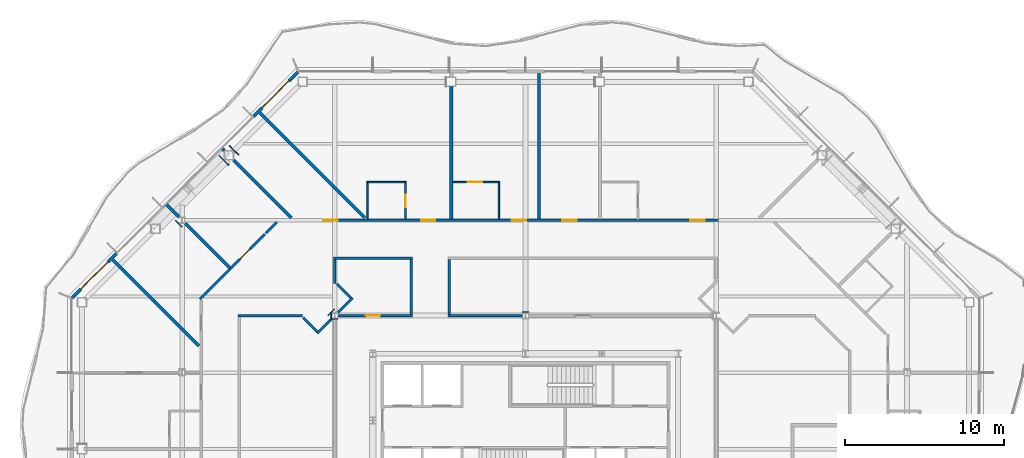
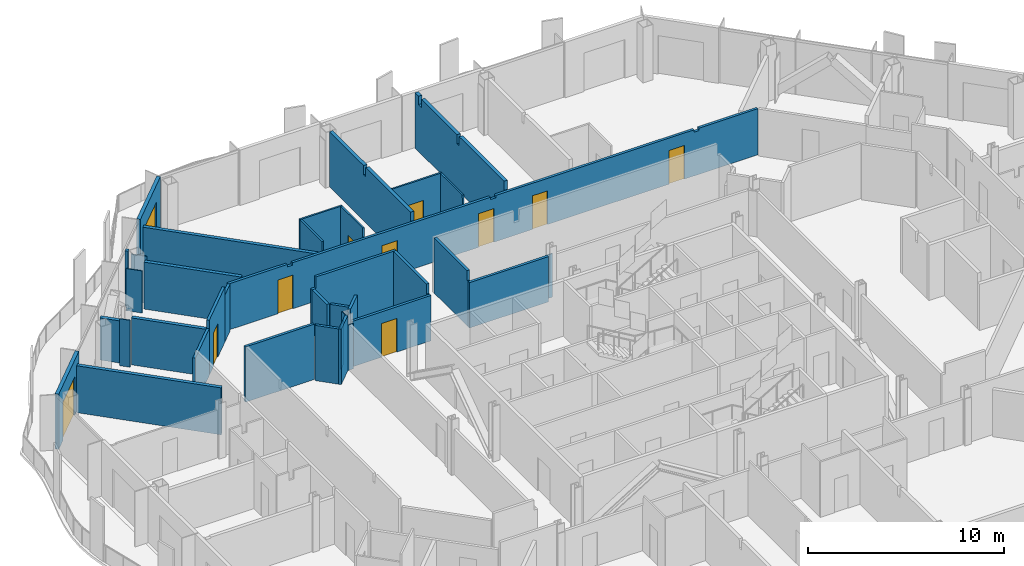
# One storey, part 12 of 20: 37 walls, 11 doors, 11 openings.
"""IFC4 building model written with IfcOpenShell, lengths in metres."""

import ifcopenshell
import ifcopenshell.guid

model = None  # the IFC model being written
_history = None  # IfcOwnerHistory: only IFC2X3 demands one
_inside = {}  # id of a spatial element -> (the spatial element, [elements in it])
_under = {}  # id of a project, library or spatial element -> (it, [spatial elements below it])
_declared = {}  # id of a project -> (the project, [libraries it declares])
_typed = {}  # id of a type object -> (the type object, [elements of that type])
_made_of = {}  # id of a material, layer set ... -> (it, [elements and type objects made of it])


def new_model(schema):
    """Start an empty IFC model of exactly this schema.

    Asked for "IFC4X3", IfcOpenShell would pick the latest addendum, in which some entities
    have other attributes; the version numbers below select the first issue.
    IFC2X3 requires an IfcOwnerHistory on every rooted entity: one is made here for all.
    """
    global model, _history
    if schema == "IFC4X3":
        model = ifcopenshell.file(schema_version=(4, 3, 0, 0))
    else:
        model = ifcopenshell.file(schema=schema)
    _inside.clear()
    _under.clear()
    _declared.clear()
    _typed.clear()
    _made_of.clear()
    _history = None
    if model.schema == "IFC2X3":
        org = make("IfcOrganization", Name="unknown")
        user = make(
            "IfcPersonAndOrganization",
            ThePerson=make("IfcPerson", FamilyName="unknown"),
            TheOrganization=org,
        )
        app = make(
            "IfcApplication",
            ApplicationDeveloper=org,
            Version="unknown",
            ApplicationFullName="unknown",
            ApplicationIdentifier="unknown",
        )
        _history = make(
            "IfcOwnerHistory",
            OwningUser=user,
            OwningApplication=app,
            ChangeAction="ADDED",
            CreationDate=0,
        )
    return model


def make(cls, **values):
    """One entity of the class cls with the attributes given. An attribute that is None is left unset."""
    return model.create_entity(
        cls, **{name: value for name, value in values.items() if value is not None}
    )


def rooted(cls, **values):
    """An entity with a GlobalId (a new one), such as an element, a storey or a relation."""
    return make(cls, GlobalId=ifcopenshell.guid.new(), OwnerHistory=_history, **values)


def si_unit(unit_type, name, prefix=None):
    """IfcSIUnit, for example si_unit("LENGTHUNIT", "METRE", prefix="MILLI")."""
    return make("IfcSIUnit", UnitType=unit_type, Prefix=prefix, Name=name)


def assignment(units):
    """IfcUnitAssignment: the units of a project."""
    return None if units is None else make("IfcUnitAssignment", Units=units)


def point(xyz):
    """IfcCartesianPoint."""
    return None if xyz is None else make("IfcCartesianPoint", Coordinates=xyz)


def direction(xyz):
    """IfcDirection."""
    return None if xyz is None else make("IfcDirection", DirectionRatios=xyz)


def frame(location, z_axis=None, x_axis=None):
    """IfcAxis2Placement3D, a coordinate frame: its origin and axes. An axis left out is left unset."""
    return make(
        "IfcAxis2Placement3D",
        Location=point(location),
        Axis=direction(z_axis),
        RefDirection=direction(x_axis),
    )


def frame_2d(location, x_axis=None):
    """IfcAxis2Placement2D, a coordinate frame in the plane: its origin and x axis."""
    return make(
        "IfcAxis2Placement2D", Location=point(location), RefDirection=direction(x_axis)
    )


def origin():
    """The frame at (0, 0, 0) with its axes left unset."""
    return frame((0.0, 0.0, 0.0))


def place(relative_to, where):
    """IfcLocalPlacement: puts the frame where relative to a parent placement (None: the world)."""
    return make(
        "IfcLocalPlacement", PlacementRelTo=relative_to, RelativePlacement=where
    )


def context(
    kind, dimensions, precision=None, world=None, true_north=None, identifier=None
):
    """IfcGeometricRepresentationContext, for example the 3D "Model" context."""
    return make(
        "IfcGeometricRepresentationContext",
        ContextIdentifier=identifier,
        ContextType=kind,
        CoordinateSpaceDimension=dimensions,
        Precision=precision,
        WorldCoordinateSystem=world,
        TrueNorth=true_north,
    )


def subcontext(parent, identifier, kind, view, scale=None):
    """IfcGeometricRepresentationSubContext, for example "Body" below "Model"."""
    return make(
        "IfcGeometricRepresentationSubContext",
        ContextIdentifier=identifier,
        ContextType=kind,
        ParentContext=parent,
        TargetScale=scale,
        TargetView=view,
    )


def project(units=None, contexts=None):
    """IfcProject with its units and contexts."""
    return rooted(
        "IfcProject",
        Name="project",
        RepresentationContexts=contexts,
        UnitsInContext=assignment(units),
    )


def spatial(cls, under=None, at=None, **own):
    """A site, building, storey or space (cls), placed at a placement, below another one or the project."""
    s = rooted(cls, ObjectPlacement=at, **own)
    if under is not None:
        _under.setdefault(under.id(), (under, []))[1].append(s)
    return s


def polyline(points):
    """IfcPolyline through the points."""
    return make("IfcPolyline", Points=[point(p) for p in points])


def profile(cls, at=None, kind="AREA", **sizes):
    """A parametric profile (cls). Its sizes go by their IFC names, for example OverallWidth=200.0."""
    return make(cls, ProfileType=kind, Position=at, **sizes)


def rectangle(**sizes):
    """IfcRectangleProfileDef."""
    return profile("IfcRectangleProfileDef", **sizes)


def outline(outer, holes=None, kind="AREA"):
    """IfcArbitraryClosedProfileDef: a profile drawn as a closed curve; with holes, ...WithVoids."""
    if holes is None:
        return make("IfcArbitraryClosedProfileDef", ProfileType=kind, OuterCurve=outer)
    return make(
        "IfcArbitraryProfileDefWithVoids",
        ProfileType=kind,
        OuterCurve=outer,
        InnerCurves=holes,
    )


def extrude(swept, where, along, depth):
    """IfcExtrudedAreaSolid: the profile swept, set in the frame where, extruded along a direction by depth."""
    return make(
        "IfcExtrudedAreaSolid",
        SweptArea=swept,
        Position=where,
        ExtrudedDirection=direction(along),
        Depth=depth,
    )


def shape(context_of_items, identifier, shape_type, items):
    """IfcShapeRepresentation: the items that make up one representation, for example the "Body"."""
    return make(
        "IfcShapeRepresentation",
        ContextOfItems=context_of_items,
        RepresentationIdentifier=identifier,
        RepresentationType=shape_type,
        Items=items,
    )


def material(Name=None, Category=None):
    """IfcMaterial."""
    return make("IfcMaterial", Name=Name, Category=Category)


def layer(
    of_material, thickness, ventilated=None, Name=None, Category=None, Priority=None
):
    """IfcMaterialLayer: one layer of a wall or slab, of a material (None: an air gap)."""
    return make(
        "IfcMaterialLayer",
        Material=of_material,
        LayerThickness=thickness,
        IsVentilated=ventilated,
        Name=Name,
        Category=Category,
        Priority=Priority,
    )


def layer_set(layers, Name=None):
    """IfcMaterialLayerSet."""
    return make("IfcMaterialLayerSet", MaterialLayers=layers, LayerSetName=Name)


def made_of(thing, what):
    """Note that an element or type object is made of a material, layer set ...; save() writes the relation."""
    if what is not None:
        _made_of.setdefault(what.id(), (what, []))[1].append(thing)
    return thing


def type_object(cls, material=None, **own):
    """A type object (cls), such as IfcWallType, which elements share."""
    return made_of(rooted(cls, **own), material)


def element(
    cls,
    number,
    at=None,
    inside=None,
    cuts=None,
    type_object=None,
    material=None,
    context=None,
    identifier="Body",
    shape_type=None,
    held_by="IfcProductDefinitionShape",
    body=None,
    shapes=None,
    **own,
):
    """One element of the class cls, such as IfcWall. Its Tag is "e" and its number.

    at: its placement. inside: the storey or other place that contains it. cuts: it is an
    opening in that element (IfcRelVoidsElement). A single representation is given by context,
    identifier, shape_type and body (its items); several are given by shapes. held_by: the class
    of the entity that holds the representations. save() writes the other relations.
    """
    e = rooted(cls, Tag="e%d" % number, ObjectPlacement=at, **own)
    if body is not None:
        shapes = [shape(context, identifier, shape_type, body)]
    if shapes is not None:
        e.Representation = make(held_by, Representations=shapes)
    if inside is not None:
        _inside.setdefault(inside.id(), (inside, []))[1].append(e)
    if cuts is not None:
        rooted(
            "IfcRelVoidsElement", RelatingBuildingElement=cuts, RelatedOpeningElement=e
        )
    if type_object is not None:
        _typed.setdefault(type_object.id(), (type_object, []))[1].append(e)
    return made_of(e, material)


def fill(opening, filler):
    """IfcRelFillsElement: the door or window that sits in an opening."""
    return rooted(
        "IfcRelFillsElement",
        RelatingOpeningElement=opening,
        RelatedBuildingElement=filler,
    )


def aggregate(whole, parts):
    """IfcRelAggregates: a whole, such as a stair, and the parts it consists of."""
    return rooted("IfcRelAggregates", RelatingObject=whole, RelatedObjects=parts)


def save(model, path):
    """Write the relations noted so far, then the file.

    IfcRelAggregates (storeys below a building ...), IfcRelContainedInSpatialStructure (elements
    in a storey), IfcRelDefinesByType, IfcRelAssociatesMaterial and IfcRelDeclares: one each for
    every whole, place, type object, material and project.
    """
    for whole, parts in _under.values():
        aggregate(whole, parts)
    for where, things in _inside.values():
        rooted(
            "IfcRelContainedInSpatialStructure",
            RelatedElements=things,
            RelatingStructure=where,
        )
    for kind, things in _typed.values():
        rooted("IfcRelDefinesByType", RelatedObjects=things, RelatingType=kind)
    for what, things in _made_of.values():
        rooted("IfcRelAssociatesMaterial", RelatedObjects=things, RelatingMaterial=what)
    for by, libraries in _declared.values():
        rooted("IfcRelDeclares", RelatingContext=by, RelatedDefinitions=libraries)
    model.write(path)


model = new_model("IFC4")

# Units and contexts
model_context = context("Model", 3, precision=1e-05, world=origin(), true_north=direction((0.0, 1.0)))
body_context = subcontext(model_context, "Body", "Model", "MODEL_VIEW")
ifc_project = project(units=[si_unit("LENGTHUNIT", "METRE"), si_unit("AREAUNIT", "SQUARE_METRE"), si_unit("VOLUMEUNIT", "CUBIC_METRE"), si_unit("PLANEANGLEUNIT", "RADIAN"), si_unit("MASSUNIT", "GRAM", prefix="KILO")], contexts=[model_context])

# Site, building, storey
site_placement = place(None, origin())
site = spatial("IfcSite", under=ifc_project, at=site_placement, CompositionType="ELEMENT")
building_placement = place(site_placement, origin())
building = spatial("IfcBuilding", under=site, at=building_placement, Name="Cairn Pilgrim Tower", CompositionType="ELEMENT")
storey_placement = place(building_placement, frame((0.0, 0.0, 165.0)))
storey = spatial("IfcBuildingStorey", under=building, at=storey_placement, Name="L41", CompositionType="ELEMENT", Elevation=165.0)

# Wall, opening, door
ifc_material_1 = material(Name="Bronze anodised aluminium insulated sandwich panel with mineral wool fill", Category="aluminium")
ifc_layer_1 = layer(ifc_material_1, 0.199951171875)
ifc_layer_set_1 = layer_set([ifc_layer_1], Name="BRONZE INFILL FRAME WALL 200")
wall_type_1 = type_object("IfcWallType", Name="BRONZE INFILL FRAME WALL 200", PredefinedType="NOTDEFINED", material=ifc_layer_set_1)
wall_1_placement = place(storey_placement, frame((-7.124755859375, 28.521728515625, 0.0), z_axis=(0.0, 0.0, 1.0), x_axis=(-0.707106781187, -0.707106781187, 0.0)))
wall_1 = element("IfcWall", 1, at=wall_1_placement, inside=storey, type_object=wall_type_1, Name="Bronze infill frame wall IW-NW1", PredefinedType="NOTDEFINED", context=body_context, shape_type="SweptSolid", body=[
    extrude(rectangle(XDim=3.961669921875, YDim=0.199951171875, at=frame_2d((1.98095703125, 0.0))), origin(), (0.0, 0.0, 1.0), 3.449951171875),
])
opening_1_placement = place(wall_1_placement, frame((0.775390625, 0.0, 0.0)))
opening_1 = element("IfcOpeningElement", 2, at=opening_1_placement, cuts=wall_1, Name="Opening 4113B2", PredefinedType="OPENING", context=body_context, shape_type="SweptSolid", body=[
    extrude(rectangle(XDim=2.39990234375, YDim=2.39990234375, at=frame_2d((1.199951171875, 1.199951171875))), frame((0.0, 0.10986328125, 0.0), z_axis=(0.0, -1.0, 0.0), x_axis=(1.0, 0.0, 0.0)), (0.0, 0.0, 1.0), 0.219970703125),
])
ifc_material_2 = material(Name="Bronze anodised aluminium frame with tinted low-E glass", Category="aluminium")
door_type_1 = type_object("IfcDoorType", Name="BALCONY SLIDING DOOR 2400x2400", OperationType="DOUBLE_DOOR_SLIDING", PredefinedType="DOOR", material=ifc_material_2)
door_1_placement = place(opening_1_placement, origin())
door_1 = element("IfcDoor", 3, at=door_1_placement, inside=storey, type_object=door_type_1, Name="Balcony sliding door 4113B2", OperationType="SINGLE_SWING_LEFT", OverallHeight=2.39990234375, OverallWidth=2.39990234375, PredefinedType="DOOR", context=body_context, shape_type="SweptSolid", body=[
    extrude(rectangle(XDim=2.39990234375, YDim=2.39990234375, at=frame_2d((1.199951171875, 1.199951171875))), frame((0.0, 0.02490234375, 0.0), z_axis=(0.0, -1.0, 0.0), x_axis=(1.0, 0.0, 0.0)), (0.0, 0.0, 1.0), 0.050048828125),
])
fill(opening_1, door_1)

wall_2_placement = place(storey_placement, frame((-18.5205078125, 17.1259765625, 0.0), z_axis=(0.0, 0.0, 1.0), x_axis=(-0.707106781187, -0.707106781187, 0.0)))
wall_2 = element("IfcWall", 4, at=wall_2_placement, inside=storey, type_object=wall_type_1, Name="Bronze infill frame wall IW-NW5", PredefinedType="NOTDEFINED", context=body_context, shape_type="SweptSolid", body=[
    extrude(rectangle(XDim=3.961669921875, YDim=0.199951171875, at=frame_2d((1.98095703125, 0.0))), origin(), (0.0, 0.0, 1.0), 3.449951171875),
])
opening_2_placement = place(wall_2_placement, frame((0.785400390625, 0.0, 0.0)))
opening_2 = element("IfcOpeningElement", 5, at=opening_2_placement, cuts=wall_2, Name="Opening 4123B", PredefinedType="OPENING", context=body_context, shape_type="SweptSolid", body=[
    extrude(rectangle(XDim=2.39990234375, YDim=2.39990234375, at=frame_2d((1.199951171875, 1.199951171875))), frame((0.0, 0.10986328125, 0.0), z_axis=(0.0, -1.0, 0.0), x_axis=(1.0, 0.0, 0.0)), (0.0, 0.0, 1.0), 0.219970703125),
])
door_2_placement = place(opening_2_placement, origin())
door_2 = element("IfcDoor", 6, at=door_2_placement, inside=storey, type_object=door_type_1, Name="Balcony sliding door 4123B", OperationType="SINGLE_SWING_LEFT", OverallHeight=2.39990234375, OverallWidth=2.39990234375, PredefinedType="DOOR", context=body_context, shape_type="SweptSolid", body=[
    extrude(rectangle(XDim=2.39990234375, YDim=2.39990234375, at=frame_2d((1.199951171875, 1.199951171875))), frame((0.0, 0.02490234375, 0.0), z_axis=(0.0, -1.0, 0.0), x_axis=(1.0, 0.0, 0.0)), (0.0, 0.0, 1.0), 0.050048828125),
])
fill(opening_2, door_2)

# Wall
ifc_material_3 = material(Name="Gypsum partition")
ifc_layer_2 = layer(ifc_material_3, 0.10009765625)
ifc_layer_set_2 = layer_set([ifc_layer_2], Name="PARTITION 100 DRYWALL")
wall_type_2 = type_object("IfcWallType", Name="PARTITION 100 DRYWALL", PredefinedType="PARTITIONING", material=ifc_layer_set_2)
wall_3_placement = place(storey_placement, frame((-2.751953125, 19.27490234375, 0.0), z_axis=(0.0, 0.0, 1.0), x_axis=(0.0, 1.0, 0.0)))
element("IfcWall", 7, at=wall_3_placement, inside=storey, type_object=wall_type_2, Name="PARTITION W104", PredefinedType="PARTITIONING", context=body_context, shape_type="SweptSolid", body=[
    extrude(outline(polyline([(0.0, 0.0), (2.275146484375, 0.0), (2.27490234375, 3.449951171875), (0.030029296875, 3.449951171875), (0.028076171875, 2.8798828125), (0.0, 2.8798828125), (0.0, 0.0)])), frame((0.0, 0.050048828125, 0.0), z_axis=(0.0, -1.0, 0.0), x_axis=(1.0, 0.0, 0.0)), (0.0, 0.0, 1.0), 0.10009765625),
])

# Wall, opening, door
wall_4_placement = place(storey_placement, frame((-0.35205078125, 19.27490234375, 0.0), z_axis=(0.0, 0.0, 1.0), x_axis=(0.0, 1.0, 0.0)))
wall_4 = element("IfcWall", 8, at=wall_4_placement, inside=storey, type_object=wall_type_2, Name="PARTITION W105", PredefinedType="PARTITIONING", context=body_context, shape_type="SweptSolid", body=[
    extrude(outline(polyline([(0.0, 0.0), (2.275146484375, 0.0), (2.27490234375, 3.449951171875), (0.030029296875, 3.449951171875), (0.028076171875, 2.8798828125), (0.0, 2.8798828125), (0.0, 0.0)])), frame((0.0, 0.050048828125, 0.0), z_axis=(0.0, -1.0, 0.0), x_axis=(1.0, 0.0, 0.0)), (0.0, 0.0, 1.0), 0.10009765625),
])
opening_3_placement = place(wall_4_placement, frame((0.72509765625, 0.0, 0.0)))
opening_3 = element("IfcOpeningElement", 9, at=opening_3_placement, cuts=wall_4, Name="Opening 4113A", PredefinedType="OPENING", context=body_context, shape_type="SweptSolid", body=[
    extrude(rectangle(XDim=0.800048828125, YDim=2.10009765625, at=frame_2d((0.39990234375, 1.050048828125))), frame((0.0, 0.06005859375, 0.0), z_axis=(0.0, -1.0, 0.0), x_axis=(1.0, 0.0, 0.0)), (0.0, 0.0, 1.0), 0.1201171875),
])
ifc_material_4 = material(Name="Timber door leaf", Category="wood")
door_type_2 = type_object("IfcDoorType", Name="WC DOOR 800x2100", OperationType="NOTDEFINED", PredefinedType="DOOR", material=ifc_material_4)
door_3_placement = place(opening_3_placement, frame((0.800048828125, 0.0, 0.0), z_axis=(0.0, 0.0, 1.0), x_axis=(-1.0, 0.0, 0.0)))
door_3 = element("IfcDoor", 10, at=door_3_placement, inside=storey, type_object=door_type_2, Name="DOOR 4113A", OperationType="SINGLE_SWING_LEFT", OverallHeight=2.10009765625, OverallWidth=0.800048828125, PredefinedType="DOOR", context=body_context, shape_type="SweptSolid", body=[
    extrude(rectangle(XDim=0.800048828125, YDim=2.10009765625, at=frame_2d((0.39990234375, 1.050048828125))), frame((0.0, 0.02490234375, 0.0), z_axis=(0.0, -1.0, 0.0), x_axis=(1.0, 0.0, 0.0)), (0.0, 0.0, 1.0), 0.050048828125),
])
fill(opening_3, door_3)

# Walls
wall_5_placement = place(storey_placement, frame((5.52392578125, 19.27490234375, 0.0), z_axis=(0.0, 0.0, 1.0), x_axis=(0.0, 1.0, 0.0)))
element("IfcWall", 11, at=wall_5_placement, inside=storey, type_object=wall_type_2, Name="PARTITION W107", PredefinedType="PARTITIONING", context=body_context, shape_type="SweptSolid", body=[
    extrude(outline(polyline([(0.0, 0.0), (2.275146484375, 0.0), (2.27490234375, 3.449951171875), (0.030029296875, 3.449951171875), (0.028076171875, 2.8798828125), (0.0, 2.8798828125), (0.0, 0.0)])), frame((0.0, 0.050048828125, 0.0), z_axis=(0.0, -1.0, 0.0), x_axis=(1.0, 0.0, 0.0)), (0.0, 0.0, 1.0), 0.10009765625),
])
wall_6_placement = place(storey_placement, frame((-2.802001953125, 21.60009765625, 0.0), z_axis=(0.0, 0.0, 1.0), x_axis=(1.0, 0.0, 0.0)))
element("IfcWall", 12, at=wall_6_placement, inside=storey, type_object=wall_type_2, Name="PARTITION W113", PredefinedType="PARTITIONING", context=body_context, shape_type="SweptSolid", body=[
    extrude(rectangle(XDim=2.5, YDim=0.10009765625, at=frame_2d((1.25, 0.0))), origin(), (0.0, 0.0, 1.0), 3.449951171875),
])

# Wall, opening, door
wall_7_placement = place(storey_placement, frame((2.6240234375, 21.60009765625, 0.0), z_axis=(0.0, 0.0, 1.0), x_axis=(1.0, 0.0, 0.0)))
wall_7 = element("IfcWall", 13, at=wall_7_placement, inside=storey, type_object=wall_type_2, Name="PARTITION W114", PredefinedType="PARTITIONING", context=body_context, shape_type="SweptSolid", body=[
    extrude(rectangle(XDim=2.949951171875, YDim=0.10009765625, at=frame_2d((1.47509765625, 0.0))), origin(), (0.0, 0.0, 1.0), 3.449951171875),
])
opening_4_placement = place(wall_7_placement, frame((0.949951171875, 0.0, 0.0)))
opening_4 = element("IfcOpeningElement", 14, at=opening_4_placement, cuts=wall_7, Name="Opening 4112A", PredefinedType="OPENING", context=body_context, shape_type="SweptSolid", body=[
    extrude(rectangle(XDim=0.89990234375, YDim=2.10009765625, at=frame_2d((0.449951171875, 1.050048828125))), frame((0.0, 0.06005859375, 0.0), z_axis=(0.0, -1.0, 0.0), x_axis=(1.0, 0.0, 0.0)), (0.0, 0.0, 1.0), 0.1201171875),
])
door_type_3 = type_object("IfcDoorType", Name="WC DOOR 900x2100", OperationType="NOTDEFINED", PredefinedType="DOOR", material=ifc_material_4)
door_4_placement = place(opening_4_placement, origin())
door_4 = element("IfcDoor", 15, at=door_4_placement, inside=storey, type_object=door_type_3, Name="DOOR 4112A", OperationType="SINGLE_SWING_LEFT", OverallHeight=2.10009765625, OverallWidth=0.89990234375, PredefinedType="DOOR", context=body_context, shape_type="SweptSolid", body=[
    extrude(rectangle(XDim=0.89990234375, YDim=2.10009765625, at=frame_2d((0.449951171875, 1.050048828125))), frame((0.0, 0.02490234375, 0.0), z_axis=(0.0, -1.0, 0.0), x_axis=(1.0, 0.0, 0.0)), (0.0, 0.0, 1.0), 0.050048828125),
])
fill(opening_4, door_4)

# Walls
ifc_layer_3 = layer(ifc_material_3, 0.14990234375)
ifc_layer_set_3 = layer_set([ifc_layer_3], Name="PARTITION 150 DRYWALL EI 60")
wall_type_3 = type_object("IfcWallType", Name="PARTITION 150 DRYWALL EI 60", PredefinedType="PARTITIONING", material=ifc_layer_set_3)
wall_8_placement = place(storey_placement, frame((-5.9140625, 12.0859375, 0.0), z_axis=(0.0, 0.0, 1.0), x_axis=(0.707106781187, 0.707106781187, 0.0)))
element("IfcWall", 16, at=wall_8_placement, inside=storey, type_object=wall_type_3, Name="PARTITION W071", PredefinedType="PARTITIONING", context=body_context, shape_type="SweptSolid", body=[
    extrude(rectangle(XDim=1.29541015625, YDim=0.14990234375, at=frame_2d((0.647705078125, 0.0))), origin(), (0.0, 0.0, 1.0), 3.449951171875),
])
wall_9_placement = place(storey_placement, frame((-5.9140625, 12.192138671875, 0.0), z_axis=(0.0, 0.0, 1.0), x_axis=(-0.706812296552, 0.70740114323, 0.0)))
element("IfcWall", 17, at=wall_9_placement, inside=storey, type_object=wall_type_3, Name="PARTITION W073", PredefinedType="PARTITIONING", context=body_context, shape_type="SweptSolid", body=[
    extrude(rectangle(XDim=1.243896484375, YDim=0.14990234375, at=frame_2d((0.6220703125, 0.0))), origin(), (0.0, 0.0, 1.0), 3.449951171875),
])
wall_10_placement = place(storey_placement, frame((-10.875, 13.199951171875, 0.0), z_axis=(0.0, 0.0, 1.0), x_axis=(1.0, 0.0, 0.0)))
element("IfcWall", 18, at=wall_10_placement, inside=storey, type_object=wall_type_3, Name="PARTITION W075", PredefinedType="PARTITIONING", context=body_context, shape_type="SweptSolid", body=[
    extrude(rectangle(XDim=4.059814453125, YDim=0.14990234375, at=frame_2d((2.02978515625, 0.0))), origin(), (0.0, 0.0, 1.0), 3.449951171875),
])

# Wall, opening, door
wall_11_placement = place(storey_placement, frame((-4.6005859375, 13.199951171875, 0.0), z_axis=(0.0, 0.0, 1.0), x_axis=(1.0, 0.0, 0.0)))
wall_11 = element("IfcWall", 19, at=wall_11_placement, inside=storey, type_object=wall_type_3, Name="PARTITION W076", PredefinedType="PARTITIONING", context=body_context, shape_type="SweptSolid", body=[
    extrude(rectangle(XDim=4.675537109375, YDim=0.14990234375, at=frame_2d((2.337890625, 0.0))), origin(), (0.0, 0.0, 1.0), 2.830078125),
])
opening_5_placement = place(wall_11_placement, frame((1.75048828125, 0.0, 0.0)))
opening_5 = element("IfcOpeningElement", 20, at=opening_5_placement, cuts=wall_11, Name="Opening 4128", PredefinedType="OPENING", context=body_context, shape_type="SweptSolid", body=[
    extrude(rectangle(XDim=0.89990234375, YDim=2.10009765625, at=frame_2d((0.449951171875, 1.050048828125))), frame((0.0, 0.0849609375, 0.0), z_axis=(0.0, -1.0, 0.0), x_axis=(1.0, 0.0, 0.0)), (0.0, 0.0, 1.0), 0.169921875),
])
door_type_4 = type_object("IfcDoorType", Name="SERVICE DOOR 900x2100 FD30S", OperationType="NOTDEFINED", PredefinedType="DOOR", material=ifc_material_4)
door_5_placement = place(opening_5_placement, origin())
door_5 = element("IfcDoor", 21, at=door_5_placement, inside=storey, type_object=door_type_4, Name="DOOR 4128", OperationType="SINGLE_SWING_RIGHT", OverallHeight=2.10009765625, OverallWidth=0.89990234375, PredefinedType="DOOR", context=body_context, shape_type="SweptSolid", body=[
    extrude(rectangle(XDim=0.89990234375, YDim=2.10009765625, at=frame_2d((0.449951171875, 1.050048828125))), frame((0.0, 0.02490234375, 0.0), z_axis=(0.0, -1.0, 0.0), x_axis=(1.0, 0.0, 0.0)), (0.0, 0.0, 1.0), 0.050048828125),
])
fill(opening_5, door_5)

# Walls
wall_12_placement = place(storey_placement, frame((2.324951171875, 13.199951171875, 0.0), z_axis=(0.0, 0.0, 1.0), x_axis=(1.0, 0.0, 0.0)))
element("IfcWall", 22, at=wall_12_placement, inside=storey, type_object=wall_type_3, Name="PARTITION W077", PredefinedType="PARTITIONING", context=body_context, shape_type="SweptSolid", body=[
    extrude(rectangle(XDim=4.675537109375, YDim=0.14990234375, at=frame_2d((2.337890625, 0.0))), origin(), (0.0, 0.0, 1.0), 2.830078125),
])
for number, where, z_axis, x_axis, name in (
    (23, (0.0, 13.27490234375, 0.0), (0.0, 0.0, 1.0), (0.0, 1.0, 0.0), "PARTITION W080"),
    (24, (2.39990234375, 13.27490234375, 0.0), (0.0, 0.0, 1.0), (0.0, 1.0, 0.0), "PARTITION W081"),
):
    element("IfcWall", number, at=place(storey_placement, frame(where, z_axis=z_axis, x_axis=x_axis)), inside=storey, type_object=wall_type_3, Name=name, PredefinedType="PARTITIONING", context=body_context, shape_type="SweptSolid", body=[
        extrude(outline(polyline([(0.0, 0.0), (3.4501953125, 0.0), (3.449951171875, 3.449951171875), (0.074951171875, 3.449951171875), (0.072998046875, 2.830078125), (0.0, 2.830078125), (0.0, 0.0)])), frame((0.0, 0.074951171875, 0.0), z_axis=(0.0, -1.0, 0.0), x_axis=(1.0, 0.0, 0.0)), (0.0, 0.0, 1.0), 0.14990234375),
    ])
wall_13_placement = place(storey_placement, frame((-4.60205078125, 13.39794921875, 0.0), z_axis=(0.0, 0.0, 1.0), x_axis=(0.707106781187, 0.707106781187, 0.0)))
element("IfcWall", 25, at=wall_13_placement, inside=storey, type_object=wall_type_3, Name="PARTITION W083", PredefinedType="PARTITIONING", context=body_context, shape_type="SweptSolid", body=[
    extrude(rectangle(XDim=1.2958984375, YDim=0.14990234375, at=frame_2d((0.64794921875, 0.0))), origin(), (0.0, 0.0, 1.0), 3.449951171875),
])
wall_14_placement = place(storey_placement, frame((-13.27490234375, 14.239990234375, 0.0), z_axis=(0.0, 0.0, 1.0), x_axis=(0.707286821097, 0.706926695424, 0.0)))
element("IfcWall", 26, at=wall_14_placement, inside=storey, type_object=wall_type_3, Name="PARTITION W086", PredefinedType="PARTITIONING", context=body_context, shape_type="SweptSolid", body=[
    extrude(rectangle(XDim=2.711669921875, YDim=0.14990234375, at=frame_2d((1.35595703125, 0.0))), origin(), (0.0, 0.0, 1.0), 2.929931640625),
])
wall_15_placement = place(storey_placement, frame((-3.7919921875, 14.31396484375, 0.0), z_axis=(0.0, 0.0, 1.0), x_axis=(-0.707499182195, 0.706714162298, 0.0)))
element("IfcWall", 27, at=wall_15_placement, inside=storey, type_object=wall_type_3, Name="PARTITION W088", PredefinedType="PARTITIONING", context=body_context, shape_type="SweptSolid", body=[
    extrude(rectangle(XDim=1.243896484375, YDim=0.14990234375, at=frame_2d((0.6220703125, 0.0))), origin(), (0.0, 0.0, 1.0), 2.72998046875),
])
wall_16_placement = place(storey_placement, frame((-4.800048828125, 15.215087890625, 0.0), z_axis=(0.0, 0.0, 1.0), x_axis=(0.0, 1.0, 0.0)))
element("IfcWall", 28, at=wall_16_placement, inside=storey, type_object=wall_type_3, Name="PARTITION W092", PredefinedType="PARTITIONING", context=body_context, shape_type="SweptSolid", body=[
    extrude(rectangle(XDim=1.510009765625, YDim=0.14990234375, at=frame_2d((0.7548828125, 0.0))), origin(), (0.0, 0.0, 1.0), 2.72998046875),
])

# Wall, opening, door
wall_17_placement = place(storey_placement, frame((-11.35693359375, 16.156982421875, 0.0), z_axis=(0.0, 0.0, 1.0), x_axis=(0.707106781187, 0.707106781187, 0.0)))
wall_17 = element("IfcWall", 29, at=wall_17_placement, inside=storey, type_object=wall_type_3, Name="PARTITION W094", PredefinedType="PARTITIONING", context=body_context, shape_type="SweptSolid", body=[
    extrude(rectangle(XDim=3.070556640625, YDim=0.14990234375, at=frame_2d((1.53515625, 0.0))), origin(), (0.0, 0.0, 1.0), 3.449951171875),
])
opening_6_placement = place(wall_17_placement, frame((0.822998046875, 0.0, 0.0)))
opening_6 = element("IfcOpeningElement", 30, at=opening_6_placement, cuts=wall_17, Name="Opening 4115", PredefinedType="OPENING", context=body_context, shape_type="SweptSolid", body=[
    extrude(rectangle(XDim=0.89990234375, YDim=2.10009765625, at=frame_2d((0.449951171875, 1.050048828125))), frame((0.0, 0.0849609375, 0.0), z_axis=(0.0, -1.0, 0.0), x_axis=(1.0, 0.0, 0.0)), (0.0, 0.0, 1.0), 0.169921875),
])
door_6_placement = place(opening_6_placement, origin())
door_6 = element("IfcDoor", 31, at=door_6_placement, inside=storey, type_object=door_type_4, Name="DOOR 4115", OperationType="SINGLE_SWING_LEFT", OverallHeight=2.10009765625, OverallWidth=0.89990234375, PredefinedType="DOOR", context=body_context, shape_type="SweptSolid", body=[
    extrude(rectangle(XDim=0.89990234375, YDim=2.10009765625, at=frame_2d((0.449951171875, 1.050048828125))), frame((0.0, 0.02490234375, 0.0), z_axis=(0.0, -1.0, 0.0), x_axis=(1.0, 0.0, 0.0)), (0.0, 0.0, 1.0), 0.050048828125),
])
fill(opening_6, door_6)

# Walls
wall_18_placement = place(storey_placement, frame((-4.875, 16.800048828125, 0.0), z_axis=(0.0, 0.0, 1.0), x_axis=(1.0, 0.0, 0.0)))
element("IfcWall", 32, at=wall_18_placement, inside=storey, type_object=wall_type_3, Name="PARTITION W096", PredefinedType="PARTITIONING", context=body_context, shape_type="SweptSolid", body=[
    extrude(outline(polyline([(0.0, 0.0), (4.949951171875, 0.0), (4.949951171875, 3.449951171875), (0.22509765625, 3.449951171875), (0.222900390625, 2.72998046875), (0.0, 2.72998046875), (0.0, 0.0)])), frame((0.0, 0.074951171875, 0.0), z_axis=(0.0, -1.0, 0.0), x_axis=(1.0, 0.0, 0.0)), (0.0, 0.0, 1.0), 0.14990234375),
])
wall_19_placement = place(storey_placement, frame((-9.1328125, 18.38134765625, 0.0), z_axis=(0.0, 0.0, 1.0), x_axis=(0.706731558776, 0.707481804593, 0.0)))
element("IfcWall", 33, at=wall_19_placement, inside=storey, type_object=wall_type_3, Name="PARTITION W099", PredefinedType="PARTITIONING", context=body_context, shape_type="SweptSolid", body=[
    extrude(rectangle(XDim=0.976318359375, YDim=0.14990234375, at=frame_2d((0.48828125, 0.0))), origin(), (0.0, 0.0, 1.0), 2.929931640625),
])

# Wall, openings, doors
wall_20_placement = place(storey_placement, frame((-8.4208984375, 19.199951171875, 0.0), z_axis=(0.0, 0.0, 1.0), x_axis=(1.0, 0.0, 0.0)))
wall_20 = element("IfcWall", 34, at=wall_20_placement, inside=storey, type_object=wall_type_3, Name="PARTITION W101", PredefinedType="PARTITIONING", context=body_context, shape_type="SweptSolid", body=[
    extrude(outline(polyline([(0.0, 0.0), (31.241943359375, 0.0), (31.241943359375, 2.8798828125), (27.77099609375, 2.8798828125), (27.76904296875, 2.72998046875), (27.470947265625, 2.72998046875), (27.468994140625, 2.8798828125), (15.77099609375, 2.8798828125), (15.76904296875, 2.72998046875), (15.470947265625, 2.72998046875), (15.468994140625, 2.8798828125), (3.77099609375, 2.8798828125), (3.76904296875, 2.72998046875), (3.470947265625, 2.72998046875), (3.468994140625, 2.8798828125), (0.0, 2.8798828125), (0.0, 0.0)])), frame((0.0, 0.074951171875, 0.0), z_axis=(0.0, -1.0, 0.0), x_axis=(1.0, 0.0, 0.0)), (0.0, 0.0, 1.0), 0.14990234375),
])
opening_7_placement = place(wall_20_placement, frame((25.9970703125, 0.0, 0.0)))
opening_7 = element("IfcOpeningElement", 35, at=opening_7_placement, cuts=wall_20, Name="Opening 4110", PredefinedType="OPENING", context=body_context, shape_type="SweptSolid", body=[
    extrude(rectangle(XDim=0.89990234375, YDim=2.10009765625, at=frame_2d((0.449951171875, 1.050048828125))), frame((0.0, 0.0849609375, 0.0), z_axis=(0.0, -1.0, 0.0), x_axis=(1.0, 0.0, 0.0)), (0.0, 0.0, 1.0), 0.169921875),
])
opening_8_placement = place(wall_20_placement, frame((17.929931640625, 0.0, 0.0)))
opening_8 = element("IfcOpeningElement", 36, at=opening_8_placement, cuts=wall_20, Name="Opening 4111", PredefinedType="OPENING", context=body_context, shape_type="SweptSolid", body=[
    extrude(rectangle(XDim=0.89990234375, YDim=2.10009765625, at=frame_2d((0.449951171875, 1.050048828125))), frame((0.0, 0.0849609375, 0.0), z_axis=(0.0, -1.0, 0.0), x_axis=(1.0, 0.0, 0.0)), (0.0, 0.0, 1.0), 0.169921875),
])
opening_9_placement = place(wall_20_placement, frame((14.75390625, 0.0, 0.0)))
opening_9 = element("IfcOpeningElement", 37, at=opening_9_placement, cuts=wall_20, Name="Opening 4112", PredefinedType="OPENING", context=body_context, shape_type="SweptSolid", body=[
    extrude(rectangle(XDim=0.89990234375, YDim=2.10009765625, at=frame_2d((0.449951171875, 1.050048828125))), frame((0.0, 0.0849609375, 0.0), z_axis=(0.0, -1.0, 0.0), x_axis=(1.0, 0.0, 0.0)), (0.0, 0.0, 1.0), 0.169921875),
])
opening_10_placement = place(wall_20_placement, frame((9.056884765625, 0.0, 0.0)))
opening_10 = element("IfcOpeningElement", 38, at=opening_10_placement, cuts=wall_20, Name="Opening 4113", PredefinedType="OPENING", context=body_context, shape_type="SweptSolid", body=[
    extrude(rectangle(XDim=0.89990234375, YDim=2.10009765625, at=frame_2d((0.449951171875, 1.050048828125))), frame((0.0, 0.0849609375, 0.0), z_axis=(0.0, -1.0, 0.0), x_axis=(1.0, 0.0, 0.0)), (0.0, 0.0, 1.0), 0.169921875),
])
opening_11_placement = place(wall_20_placement, frame((2.906982421875, 0.0, 0.0)))
opening_11 = element("IfcOpeningElement", 39, at=opening_11_placement, cuts=wall_20, Name="Opening 4114", PredefinedType="OPENING", context=body_context, shape_type="SweptSolid", body=[
    extrude(rectangle(XDim=0.89990234375, YDim=2.10009765625, at=frame_2d((0.449951171875, 1.050048828125))), frame((0.0, 0.0849609375, 0.0), z_axis=(0.0, -1.0, 0.0), x_axis=(1.0, 0.0, 0.0)), (0.0, 0.0, 1.0), 0.169921875),
])
door_type_5 = type_object("IfcDoorType", Name="ROOM DOOR 900x2100 FD30S", OperationType="NOTDEFINED", PredefinedType="DOOR", material=ifc_material_4)
door_7_placement = place(opening_7_placement, origin())
door_7 = element("IfcDoor", 40, at=door_7_placement, inside=storey, type_object=door_type_5, Name="DOOR 4110", OperationType="SINGLE_SWING_LEFT", OverallHeight=2.10009765625, OverallWidth=0.89990234375, PredefinedType="DOOR", context=body_context, shape_type="SweptSolid", body=[
    extrude(rectangle(XDim=0.89990234375, YDim=2.10009765625, at=frame_2d((0.449951171875, 1.050048828125))), frame((0.0, 0.02490234375, 0.0), z_axis=(0.0, -1.0, 0.0), x_axis=(1.0, 0.0, 0.0)), (0.0, 0.0, 1.0), 0.050048828125),
])
fill(opening_7, door_7)
door_8_placement = place(opening_8_placement, origin())
door_8 = element("IfcDoor", 41, at=door_8_placement, inside=storey, type_object=door_type_5, Name="DOOR 4111", OperationType="SINGLE_SWING_LEFT", OverallHeight=2.10009765625, OverallWidth=0.89990234375, PredefinedType="DOOR", context=body_context, shape_type="SweptSolid", body=[
    extrude(rectangle(XDim=0.89990234375, YDim=2.10009765625, at=frame_2d((0.449951171875, 1.050048828125))), frame((0.0, 0.02490234375, 0.0), z_axis=(0.0, -1.0, 0.0), x_axis=(1.0, 0.0, 0.0)), (0.0, 0.0, 1.0), 0.050048828125),
])
fill(opening_8, door_8)
door_9_placement = place(opening_9_placement, origin())
door_9 = element("IfcDoor", 42, at=door_9_placement, inside=storey, type_object=door_type_5, Name="DOOR 4112", OperationType="SINGLE_SWING_LEFT", OverallHeight=2.10009765625, OverallWidth=0.89990234375, PredefinedType="DOOR", context=body_context, shape_type="SweptSolid", body=[
    extrude(rectangle(XDim=0.89990234375, YDim=2.10009765625, at=frame_2d((0.449951171875, 1.050048828125))), frame((0.0, 0.02490234375, 0.0), z_axis=(0.0, -1.0, 0.0), x_axis=(1.0, 0.0, 0.0)), (0.0, 0.0, 1.0), 0.050048828125),
])
fill(opening_9, door_9)
door_10_placement = place(opening_10_placement, origin())
door_10 = element("IfcDoor", 43, at=door_10_placement, inside=storey, type_object=door_type_5, Name="DOOR 4113", OperationType="SINGLE_SWING_LEFT", OverallHeight=2.10009765625, OverallWidth=0.89990234375, PredefinedType="DOOR", context=body_context, shape_type="SweptSolid", body=[
    extrude(rectangle(XDim=0.89990234375, YDim=2.10009765625, at=frame_2d((0.449951171875, 1.050048828125))), frame((0.0, 0.02490234375, 0.0), z_axis=(0.0, -1.0, 0.0), x_axis=(1.0, 0.0, 0.0)), (0.0, 0.0, 1.0), 0.050048828125),
])
fill(opening_10, door_10)
door_11_placement = place(opening_11_placement, origin())
door_11 = element("IfcDoor", 44, at=door_11_placement, inside=storey, type_object=door_type_4, Name="DOOR 4114", OperationType="SINGLE_SWING_LEFT", OverallHeight=2.10009765625, OverallWidth=0.89990234375, PredefinedType="DOOR", context=body_context, shape_type="SweptSolid", body=[
    extrude(rectangle(XDim=0.89990234375, YDim=2.10009765625, at=frame_2d((0.449951171875, 1.050048828125))), frame((0.0, 0.02490234375, 0.0), z_axis=(0.0, -1.0, 0.0), x_axis=(1.0, 0.0, 0.0)), (0.0, 0.0, 1.0), 0.050048828125),
])
fill(opening_11, door_11)

# Walls
ifc_layer_4 = layer(ifc_material_3, 0.050048828125)
ifc_layer_set_4 = layer_set([ifc_layer_4], Name="PARTITION 50 DRYWALL EI 60")
wall_type_4 = type_object("IfcWallType", Name="PARTITION 50 DRYWALL EI 60", PredefinedType="PARTITIONING", material=ifc_layer_set_4)
wall_21_placement = place(storey_placement, frame((-5.0244140625, 13.00341796875, 0.0), z_axis=(0.0, 0.0, 1.0), x_axis=(0.0, 1.0, 0.0)))
element("IfcWall", 45, at=wall_21_placement, inside=storey, type_object=wall_type_4, Name="COLUMN CASING WC14", PredefinedType="PARTITIONING", context=body_context, shape_type="SweptSolid", body=[
    extrude(rectangle(XDim=0.39306640625, YDim=0.050048828125, at=frame_2d((0.196533203125, 0.0))), origin(), (0.0, 0.0, 1.0), 3.449951171875),
])
wall_22_placement = place(storey_placement, frame((-5.213623046875, 13.2177734375, 0.0), z_axis=(0.0, 0.0, 1.0), x_axis=(0.707106781187, 0.707106781187, 0.0)))
element("IfcWall", 46, at=wall_22_placement, inside=storey, type_object=wall_type_4, Name="COLUMN CASING WC23", PredefinedType="PARTITIONING", context=body_context, shape_type="SweptSolid", body=[
    extrude(rectangle(XDim=0.56005859375, YDim=0.050048828125, at=frame_2d((0.280029296875, 0.0))), origin(), (0.0, 0.0, 1.0), 2.72998046875),
])
wall_23_placement = place(storey_placement, frame((-4.99951171875, 12.978515625, 0.0), z_axis=(0.0, 0.0, 1.0), x_axis=(1.0, 0.0, 0.0)))
element("IfcWall", 47, at=wall_23_placement, inside=storey, type_object=wall_type_4, Name="COLUMN CASING WC25", PredefinedType="PARTITIONING", context=body_context, shape_type="SweptSolid", body=[
    extrude(rectangle(XDim=0.39892578125, YDim=0.050048828125, at=frame_2d((0.199462890625, 0.0))), origin(), (0.0, 0.0, 1.0), 2.830078125),
])
wall_24_placement = place(storey_placement, frame((7.00048828125, 13.42138671875, 0.0), z_axis=(0.0, 0.0, 1.0), x_axis=(1.0, 0.0, 0.0)))
element("IfcWall", 48, at=wall_24_placement, inside=storey, type_object=wall_type_4, Name="COLUMN CASING WC26", PredefinedType="PARTITIONING", context=body_context, shape_type="SweptSolid", body=[
    extrude(rectangle(XDim=0.39892578125, YDim=0.050048828125, at=frame_2d((0.199462890625, 0.0))), origin(), (0.0, 0.0, 1.0), 2.72998046875),
])
wall_25_placement = place(storey_placement, frame((-14.417724609375, 18.786376953125, 0.0), z_axis=(0.0, 0.0, 1.0), x_axis=(-0.707106781187, 0.707106781187, 0.0)))
element("IfcWall", 49, at=wall_25_placement, inside=storey, type_object=wall_type_4, Name="COLUMN CASING WC28", PredefinedType="PARTITIONING", context=body_context, shape_type="SweptSolid", body=[
    extrude(rectangle(XDim=0.56005859375, YDim=0.050048828125, at=frame_2d((0.280029296875, 0.0))), origin(), (0.0, 0.0, 1.0), 2.929931640625),
])
wall_26_placement = place(storey_placement, frame((-11.46923828125, 22.657958984375, 0.0), z_axis=(0.0, 0.0, 1.0), x_axis=(-0.706962899457, 0.707250633645, 0.0)))
element("IfcWall", 50, at=wall_26_placement, inside=storey, type_object=wall_type_4, Name="COLUMN CASING WC31", PredefinedType="PARTITIONING", context=body_context, shape_type="SweptSolid", body=[
    extrude(rectangle(XDim=0.848388671875, YDim=0.050048828125, at=frame_2d((0.42431640625, 0.0))), origin(), (0.0, 0.0, 1.0), 2.6298828125),
])
wall_27_placement = place(storey_placement, frame((-10.833740234375, 23.29345703125, 0.0), z_axis=(0.0, 0.0, 1.0), x_axis=(-0.707250633645, 0.706962899457, 0.0)))
element("IfcWall", 51, at=wall_27_placement, inside=storey, type_object=wall_type_4, Name="COLUMN CASING WC32", PredefinedType="PARTITIONING", context=body_context, shape_type="SweptSolid", body=[
    extrude(rectangle(XDim=0.848388671875, YDim=0.050048828125, at=frame_2d((0.42431640625, 0.0))), origin(), (0.0, 0.0, 1.0), 2.929931640625),
])
ifc_layer_5 = layer(ifc_material_3, 0.199951171875)
ifc_layer_set_5 = layer_set([ifc_layer_5], Name="SHAFT WALL 200 GYPSUM EI 60")
wall_type_5 = type_object("IfcWallType", Name="SHAFT WALL 200 GYPSUM EI 60", PredefinedType="PARTITIONING", material=ifc_layer_set_5)
wall_28_placement = place(storey_placement, frame((-13.345703125, 11.297607421875, 0.0), z_axis=(0.0, 0.0, 1.0), x_axis=(-0.707106781187, 0.707106781187, 0.0)))
element("IfcWall", 52, at=wall_28_placement, inside=storey, type_object=wall_type_5, Name="PARTITION W069", PredefinedType="PARTITIONING", context=body_context, shape_type="SweptSolid", body=[
    extrude(rectangle(XDim=7.650390625, YDim=0.199951171875, at=frame_2d((3.8251953125, 0.0))), origin(), (0.0, 0.0, 1.0), 2.929931640625),
])
wall_29_placement = place(storey_placement, frame((-11.41015625, 16.210205078125, 0.0), z_axis=(0.0, 0.0, 1.0), x_axis=(-0.707106781187, 0.707106781187, 0.0)))
element("IfcWall", 53, at=wall_29_placement, inside=storey, type_object=wall_type_5, Name="PARTITION W095", PredefinedType="PARTITIONING", context=body_context, shape_type="SweptSolid", body=[
    extrude(rectangle(XDim=3.9482421875, YDim=0.199951171875, at=frame_2d((1.97412109375, 0.0))), origin(), (0.0, 0.0, 1.0), 2.929931640625),
])
wall_30_placement = place(storey_placement, frame((-7.521728515625, 19.345703125, 0.0), z_axis=(0.0, 0.0, 1.0), x_axis=(-0.707106781187, 0.707106781187, 0.0)))
element("IfcWall", 54, at=wall_30_placement, inside=storey, type_object=wall_type_5, Name="PARTITION W102", PredefinedType="PARTITIONING", context=body_context, shape_type="SweptSolid", body=[
    extrude(rectangle(XDim=5.133544921875, YDim=0.199951171875, at=frame_2d((2.56689453125, 0.0))), origin(), (0.0, 0.0, 1.0), 2.929931640625),
])
wall_31_placement = place(storey_placement, frame((-2.897705078125, 19.345703125, 0.0), z_axis=(0.0, 0.0, 1.0), x_axis=(-0.707106781187, 0.707106781187, 0.0)))
element("IfcWall", 55, at=wall_31_placement, inside=storey, type_object=wall_type_5, Name="PARTITION W103", PredefinedType="PARTITIONING", context=body_context, shape_type="SweptSolid", body=[
    extrude(rectangle(XDim=9.347412109375, YDim=0.199951171875, at=frame_2d((4.673828125, 0.0))), origin(), (0.0, 0.0, 1.0), 2.72998046875),
])
wall_32_placement = place(storey_placement, frame((2.52392578125, 19.27490234375, 0.0), z_axis=(0.0, 0.0, 1.0), x_axis=(0.0, 1.0, 0.0)))
element("IfcWall", 56, at=wall_32_placement, inside=storey, type_object=wall_type_5, Name="PARTITION W106", PredefinedType="PARTITIONING", context=body_context, shape_type="SweptSolid", body=[
    extrude(outline(polyline([(0.0, 0.0), (8.3251953125, 0.0), (8.324951171875, 3.449951171875), (4.830078125, 3.449951171875), (4.827880859375, 2.8798828125), (4.6201171875, 2.8798828125), (4.617919921875, 3.449951171875), (0.030029296875, 3.449951171875), (0.028076171875, 2.8798828125), (0.0, 2.8798828125), (0.0, 0.0)])), frame((0.0, 0.10009765625, 0.0), z_axis=(0.0, -1.0, 0.0), x_axis=(1.0, 0.0, 0.0)), (0.0, 0.0, 1.0), 0.199951171875),
])
wall_33_placement = place(storey_placement, frame((8.0419921875, 19.27490234375, 0.0), z_axis=(0.0, 0.0, 1.0), x_axis=(0.0, 1.0, 0.0)))
element("IfcWall", 57, at=wall_33_placement, inside=storey, type_object=wall_type_5, Name="PARTITION W108", PredefinedType="PARTITIONING", context=body_context, shape_type="SweptSolid", body=[
    extrude(outline(polyline([(0.0, 0.0), (9.14501953125, 0.0), (9.14501953125, 3.449951171875), (8.77490234375, 3.449951171875), (8.77294921875, 2.929931640625), (8.47509765625, 2.929931640625), (8.472900390625, 3.449951171875), (4.830078125, 3.449951171875), (4.827880859375, 2.8798828125), (4.6201171875, 2.8798828125), (4.617919921875, 3.449951171875), (0.030029296875, 3.449951171875), (0.028076171875, 2.8798828125), (0.0, 2.8798828125), (0.0, 0.0)])), frame((0.0, 0.10009765625, 0.0), z_axis=(0.0, -1.0, 0.0), x_axis=(1.0, 0.0, 0.0)), (0.0, 0.0, 1.0), 0.199951171875),
])
wall_34_placement = place(storey_placement, frame((-14.597900390625, 19.39794921875, 0.0), z_axis=(0.0, 0.0, 1.0), x_axis=(-0.707106781187, 0.707106781187, 0.0)))
element("IfcWall", 58, at=wall_34_placement, inside=storey, type_object=wall_type_5, Name="PARTITION W112", PredefinedType="PARTITIONING", context=body_context, shape_type="SweptSolid", body=[
    extrude(rectangle(XDim=1.107177734375, YDim=0.199951171875, at=frame_2d((0.5537109375, 0.0))), origin(), (0.0, 0.0, 1.0), 2.6298828125),
])
wall_35_placement = place(storey_placement, frame((-11.751708984375, 23.57568359375, 0.0), z_axis=(0.0, 0.0, 1.0), x_axis=(-0.707106781187, 0.707106781187, 0.0)))
element("IfcWall", 59, at=wall_35_placement, inside=storey, type_object=wall_type_5, Name="PARTITION W116", PredefinedType="PARTITIONING", context=body_context, shape_type="SweptSolid", body=[
    extrude(rectangle(XDim=0.165771484375, YDim=0.199951171875, at=frame_2d((0.0830078125, 0.0))), origin(), (0.0, 0.0, 1.0), 3.449951171875),
])

save(model, "model.ifc")
